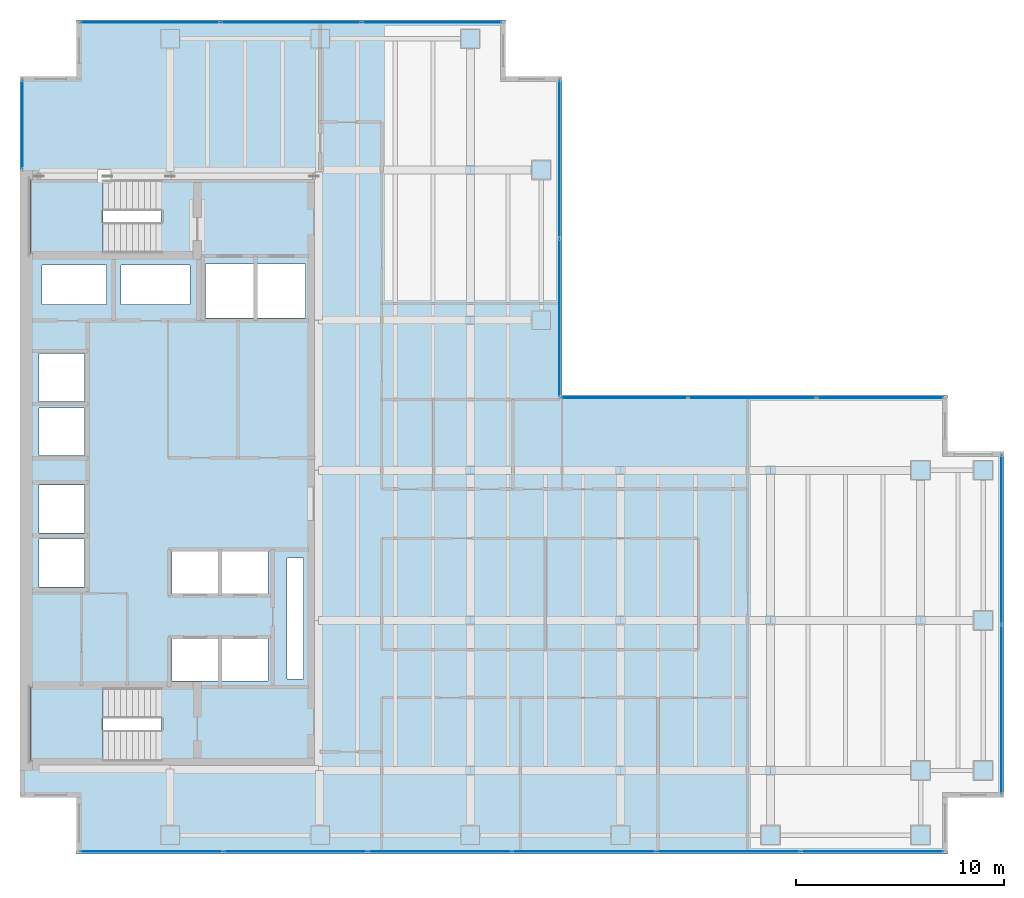
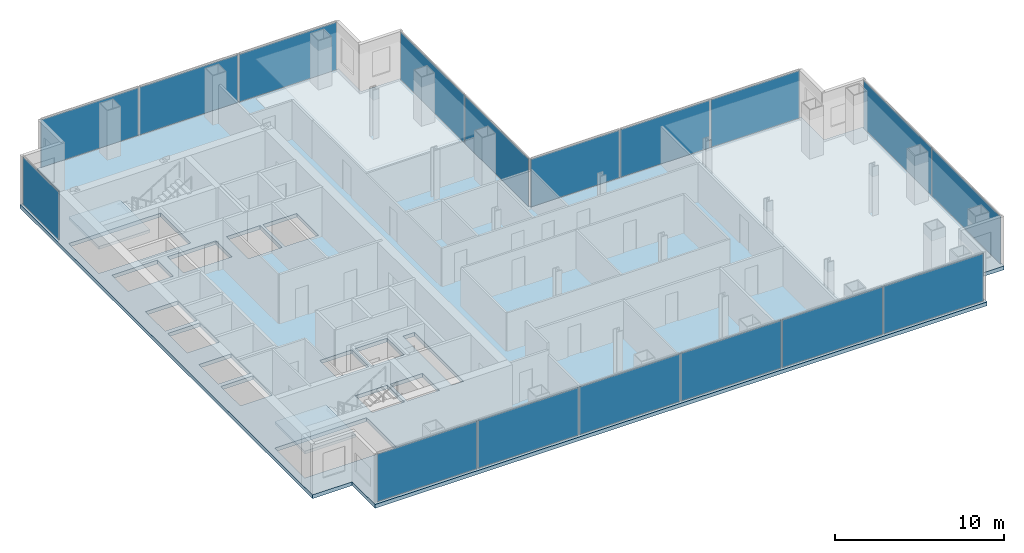
# One storey, part 19 of 24: 17 plates, 3 slabs, 15 openings, 8 elements without a shape of their own.
"""IFC4 building model written with IfcOpenShell, lengths in metres."""

from ifc_helpers import new_model, si_unit, direction, frame, origin, origin_2d, place, context, subcontext, project, spatial, polyline, rectangle, outline, extrude, material, layer, layer_set, type_object, element, aggregate, save


model = new_model("IFC4")

# Units and contexts
model_context = context("Model", 3, precision=1e-05, world=origin(), true_north=direction((0.0, 1.0)))
body_context = subcontext(model_context, "Body", "Model", "MODEL_VIEW")
ifc_project = project(units=[si_unit("LENGTHUNIT", "METRE"), si_unit("AREAUNIT", "SQUARE_METRE"), si_unit("VOLUMEUNIT", "CUBIC_METRE"), si_unit("PLANEANGLEUNIT", "RADIAN"), si_unit("MASSUNIT", "GRAM", prefix="KILO")], contexts=[model_context])

# Site, building, storey
site_placement = place(None, origin())
site = spatial("IfcSite", under=ifc_project, at=site_placement, CompositionType="ELEMENT")
building_placement = place(site_placement, origin())
building = spatial("IfcBuilding", under=site, at=building_placement, Name="Cobrela Telecom Tower", CompositionType="ELEMENT")
storey_placement = place(building_placement, frame((0.0, 0.0, 106.050048828125)))
storey = spatial("IfcBuildingStorey", under=building, at=storey_placement, Name="L26", CompositionType="ELEMENT", Elevation=106.050048828125)

# Curtain wall, plate
ifc_material_1 = material(Name="Anodized Bronze Aluminium 6063-T6", Category="aluminium")
curtain_wall_type = type_object("IfcCurtainWallType", Name="CW-SYS-TEL", PredefinedType="USERDEFINED", material=ifc_material_1)
curtain_wall_1_placement = place(storey_placement, origin())
curtain_wall_1 = element("IfcCurtainWall", 1, at=curtain_wall_1_placement, inside=storey, type_object=curtain_wall_type, Name="L26 Unitised Bronze Curtain Wall 04", ObjectType="UNITISED CURTAIN WALL", PredefinedType="USERDEFINED")
ifc_material_2 = material(Name="Solar-Control Bronze Low-E Glass", Category="glass")
ifc_layer_1 = layer(ifc_material_2, 0.035888671875)
ifc_layer_set_1 = layer_set([ifc_layer_1], Name="Solar-Control Bronze Low-E Glass")
plate_type = type_object("IfcPlateType", Name="CW-SYS-TEL-PNL", PredefinedType="CURTAIN_PANEL", material=ifc_layer_set_1)
plate_1_placement = place(storey_placement, frame((0.1201171875, 38.18505859375, 0.070068359375), z_axis=(0.0, 0.0, 1.0), x_axis=(0.0, 1.0, 0.0)))
plate_1 = element("IfcPlate", 2, at=plate_1_placement, type_object=plate_type, Name="CW-TEL panel 1.1", PredefinedType="CURTAIN_PANEL", context=body_context, shape_type="SweptSolid", body=[
    extrude(rectangle(XDim=4.219970703125, YDim=0.035888671875, at=origin_2d()), origin(), (0.0, 0.0, 1.0), 3.43994140625),
])
aggregate(curtain_wall_1, [plate_1])

# Curtain wall, plates
curtain_wall_2_placement = place(storey_placement, origin())
curtain_wall_2 = element("IfcCurtainWall", 3, at=curtain_wall_2_placement, inside=storey, type_object=curtain_wall_type, Name="L26 Unitised Bronze Curtain Wall 07", ObjectType="UNITISED CURTAIN WALL", PredefinedType="USERDEFINED")
plate_2_placement = place(storey_placement, frame((6.23876953125, 43.080078125, 0.070068359375), z_axis=(0.0, 0.0, 1.0), x_axis=(1.0, 0.0, 0.0)))
plate_2 = element("IfcPlate", 4, at=plate_2_placement, type_object=plate_type, Name="CW-TEL panel 1.1", PredefinedType="CURTAIN_PANEL", context=body_context, shape_type="SweptSolid", body=[
    extrude(rectangle(XDim=6.66748046875, YDim=0.035888671875, at=origin_2d()), origin(), (0.0, 0.0, 1.0), 3.43994140625),
])
plate_3_placement = place(storey_placement, frame((13.0, 43.080078125, 0.070068359375), z_axis=(0.0, 0.0, 1.0), x_axis=(1.0, 0.0, 0.0)))
plate_3 = element("IfcPlate", 5, at=plate_3_placement, type_object=plate_type, Name="CW-TEL panel 2.1", PredefinedType="CURTAIN_PANEL", context=body_context, shape_type="SweptSolid", body=[
    extrude(rectangle(XDim=6.705078125, YDim=0.035888671875, at=origin_2d()), origin(), (0.0, 0.0, 1.0), 3.43994140625),
])
plate_4_placement = place(storey_placement, frame((19.76123046875, 43.080078125, 0.070068359375), z_axis=(0.0, 0.0, 1.0), x_axis=(1.0, 0.0, 0.0)))
plate_4 = element("IfcPlate", 6, at=plate_4_placement, type_object=plate_type, Name="CW-TEL panel 3.1", PredefinedType="CURTAIN_PANEL", context=body_context, shape_type="SweptSolid", body=[
    extrude(rectangle(XDim=6.66748046875, YDim=0.035888671875, at=origin_2d()), origin(), (0.0, 0.0, 1.0), 3.43994140625),
])
aggregate(curtain_wall_2, [plate_2, plate_3, plate_4])

curtain_wall_3_placement = place(storey_placement, origin())
curtain_wall_3 = element("IfcCurtainWall", 7, at=curtain_wall_3_placement, inside=storey, type_object=curtain_wall_type, Name="L26 Unitised Bronze Curtain Wall 10", ObjectType="UNITISED CURTAIN WALL", PredefinedType="USERDEFINED")
plate_5_placement = place(storey_placement, frame((25.8798828125, 36.52880859375, 0.070068359375), z_axis=(0.0, 0.0, 1.0), x_axis=(0.0, -1.0, 0.0)))
plate_5 = element("IfcPlate", 8, at=plate_5_placement, type_object=plate_type, Name="CW-TEL panel 1.1", PredefinedType="CURTAIN_PANEL", context=body_context, shape_type="SweptSolid", body=[
    extrude(rectangle(XDim=7.532470703125, YDim=0.035888671875, at=origin_2d()), origin(), (0.0, 0.0, 1.0), 3.43994140625),
])
plate_6_placement = place(storey_placement, frame((25.8798828125, 28.921142578125, 0.070068359375), z_axis=(0.0, 0.0, 1.0), x_axis=(0.0, -1.0, 0.0)))
plate_6 = element("IfcPlate", 9, at=plate_6_placement, type_object=plate_type, Name="CW-TEL panel 2.1", PredefinedType="CURTAIN_PANEL", context=body_context, shape_type="SweptSolid", body=[
    extrude(rectangle(XDim=7.532470703125, YDim=0.035888671875, at=origin_2d()), origin(), (0.0, 0.0, 1.0), 3.43994140625),
])
aggregate(curtain_wall_3, [plate_5, plate_6])

curtain_wall_4_placement = place(storey_placement, origin())
curtain_wall_4 = element("IfcCurtainWall", 10, at=curtain_wall_4_placement, inside=storey, type_object=curtain_wall_type, Name="L26 Unitised Bronze Curtain Wall 11", ObjectType="UNITISED CURTAIN WALL", PredefinedType="USERDEFINED")
plate_7_placement = place(storey_placement, frame((28.98046875, 25.080078125, 0.070068359375), z_axis=(0.0, 0.0, 1.0), x_axis=(1.0, 0.0, 0.0)))
plate_7 = element("IfcPlate", 11, at=plate_7_placement, type_object=plate_type, Name="CW-TEL panel 1.1", PredefinedType="CURTAIN_PANEL", context=body_context, shape_type="SweptSolid", body=[
    extrude(rectangle(XDim=6.05078125, YDim=0.035888671875, at=origin_2d()), origin(), (0.0, 0.0, 1.0), 3.43994140625),
])
plate_8_placement = place(storey_placement, frame((35.125, 25.080078125, 0.070068359375), z_axis=(0.0, 0.0, 1.0), x_axis=(1.0, 0.0, 0.0)))
plate_8 = element("IfcPlate", 12, at=plate_8_placement, type_object=plate_type, Name="CW-TEL panel 2.1", PredefinedType="CURTAIN_PANEL", context=body_context, shape_type="SweptSolid", body=[
    extrude(rectangle(XDim=6.08837890625, YDim=0.035888671875, at=origin_2d()), origin(), (0.0, 0.0, 1.0), 3.43994140625),
])
plate_9_placement = place(storey_placement, frame((41.26953125, 25.080078125, 0.070068359375), z_axis=(0.0, 0.0, 1.0), x_axis=(1.0, 0.0, 0.0)))
plate_9 = element("IfcPlate", 13, at=plate_9_placement, type_object=plate_type, Name="CW-TEL panel 3.1", PredefinedType="CURTAIN_PANEL", context=body_context, shape_type="SweptSolid", body=[
    extrude(rectangle(XDim=6.05078125, YDim=0.035888671875, at=origin_2d()), origin(), (0.0, 0.0, 1.0), 3.43994140625),
])
aggregate(curtain_wall_4, [plate_7, plate_8, plate_9])

curtain_wall_5_placement = place(storey_placement, origin())
curtain_wall_5 = element("IfcCurtainWall", 14, at=curtain_wall_5_placement, inside=storey, type_object=curtain_wall_type, Name="L26 Unitised Bronze Curtain Wall 14", ObjectType="UNITISED CURTAIN WALL", PredefinedType="USERDEFINED")
plate_10_placement = place(storey_placement, frame((47.080078125, 18.266357421875, 0.070068359375), z_axis=(0.0, 0.0, 1.0), x_axis=(0.0, -1.0, 0.0)))
plate_10 = element("IfcPlate", 15, at=plate_10_placement, type_object=plate_type, Name="CW-TEL panel 1.1", PredefinedType="CURTAIN_PANEL", context=body_context, shape_type="SweptSolid", body=[
    extrude(rectangle(XDim=8.0576171875, YDim=0.035888671875, at=origin_2d()), origin(), (0.0, 0.0, 1.0), 3.43994140625),
])
plate_11_placement = place(storey_placement, frame((47.080078125, 10.1337890625, 0.070068359375), z_axis=(0.0, 0.0, 1.0), x_axis=(0.0, -1.0, 0.0)))
plate_11 = element("IfcPlate", 16, at=plate_11_placement, type_object=plate_type, Name="CW-TEL panel 2.1", PredefinedType="CURTAIN_PANEL", context=body_context, shape_type="SweptSolid", body=[
    extrude(rectangle(XDim=8.0576171875, YDim=0.035888671875, at=origin_2d()), origin(), (0.0, 0.0, 1.0), 3.43994140625),
])
aggregate(curtain_wall_5, [plate_10, plate_11])

curtain_wall_6_placement = place(storey_placement, origin())
curtain_wall_6 = element("IfcCurtainWall", 17, at=curtain_wall_6_placement, inside=storey, type_object=curtain_wall_type, Name="L26 Unitised Bronze Curtain Wall 17", ObjectType="UNITISED CURTAIN WALL", PredefinedType="USERDEFINED")
plate_12_placement = place(storey_placement, frame((40.8896484375, 3.320068359375, 0.070068359375), z_axis=(0.0, 0.0, 1.0), x_axis=(-1.0, 0.0, 0.0)))
plate_12 = element("IfcPlate", 18, at=plate_12_placement, type_object=plate_type, Name="CW-TEL panel 1.1", PredefinedType="CURTAIN_PANEL", context=body_context, shape_type="SweptSolid", body=[
    extrude(rectangle(XDim=6.810791015625, YDim=0.035888671875, at=origin_2d()), origin(), (0.0, 0.0, 1.0), 3.43994140625),
])
plate_13_placement = place(storey_placement, frame((33.985107421875, 3.320068359375, 0.070068359375), z_axis=(0.0, 0.0, 1.0), x_axis=(-1.0, 0.0, 0.0)))
plate_13 = element("IfcPlate", 19, at=plate_13_placement, type_object=plate_type, Name="CW-TEL panel 2.1", PredefinedType="CURTAIN_PANEL", context=body_context, shape_type="SweptSolid", body=[
    extrude(rectangle(XDim=6.848388671875, YDim=0.035888671875, at=origin_2d()), origin(), (0.0, 0.0, 1.0), 3.43994140625),
])
plate_14_placement = place(storey_placement, frame((27.061767578125, 3.320068359375, 0.070068359375), z_axis=(0.0, 0.0, 1.0), x_axis=(-1.0, 0.0, 0.0)))
plate_14 = element("IfcPlate", 20, at=plate_14_placement, type_object=plate_type, Name="CW-TEL panel 3.1", PredefinedType="CURTAIN_PANEL", context=body_context, shape_type="SweptSolid", body=[
    extrude(rectangle(XDim=6.848388671875, YDim=0.035888671875, at=origin_2d()), origin(), (0.0, 0.0, 1.0), 3.43994140625),
])
plate_15_placement = place(storey_placement, frame((20.138427734375, 3.320068359375, 0.070068359375), z_axis=(0.0, 0.0, 1.0), x_axis=(-1.0, 0.0, 0.0)))
plate_15 = element("IfcPlate", 21, at=plate_15_placement, type_object=plate_type, Name="CW-TEL panel 4.1", PredefinedType="CURTAIN_PANEL", context=body_context, shape_type="SweptSolid", body=[
    extrude(rectangle(XDim=6.848388671875, YDim=0.035888671875, at=origin_2d()), origin(), (0.0, 0.0, 1.0), 3.43994140625),
])
plate_16_placement = place(storey_placement, frame((13.215087890625, 3.320068359375, 0.070068359375), z_axis=(0.0, 0.0, 1.0), x_axis=(-1.0, 0.0, 0.0)))
plate_16 = element("IfcPlate", 22, at=plate_16_placement, type_object=plate_type, Name="CW-TEL panel 5.1", PredefinedType="CURTAIN_PANEL", context=body_context, shape_type="SweptSolid", body=[
    extrude(rectangle(XDim=6.848388671875, YDim=0.035888671875, at=origin_2d()), origin(), (0.0, 0.0, 1.0), 3.43994140625),
])
plate_17_placement = place(storey_placement, frame((6.310302734375, 3.320068359375, 0.070068359375), z_axis=(0.0, 0.0, 1.0), x_axis=(-1.0, 0.0, 0.0)))
plate_17 = element("IfcPlate", 23, at=plate_17_placement, type_object=plate_type, Name="CW-TEL panel 6.1", PredefinedType="CURTAIN_PANEL", context=body_context, shape_type="SweptSolid", body=[
    extrude(rectangle(XDim=6.810791015625, YDim=0.035888671875, at=origin_2d()), origin(), (0.0, 0.0, 1.0), 3.43994140625),
])
aggregate(curtain_wall_6, [plate_12, plate_13, plate_14, plate_15, plate_16, plate_17])

# Slab, openings
ifc_material_3 = material(Name="Concrete C40/50", Category="concrete")
ifc_layer_2 = layer(ifc_material_3, 0.27001953125)
ifc_layer_set_2 = layer_set([ifc_layer_2], Name="Concrete C40/50")
slab_type_1 = type_object("IfcSlabType", Name="SLAB-FLR-270", PredefinedType="FLOOR", material=ifc_layer_set_2)
slab_1_placement = place(storey_placement, frame((0.0, 0.0, -0.27001953125)))
slab_1 = element("IfcSlab", 24, at=slab_1_placement, inside=storey, type_object=slab_type_1, Name="L26 Structural Floor Slab", PredefinedType="FLOOR", context=body_context, shape_type="SweptSolid", body=[
    extrude(outline(polyline([(2.7099609375, 3.199951171875), (44.489990234375, 3.199951171875), (44.489990234375, 5.909912109375), (47.199951171875, 5.909912109375), (47.199951171875, 22.489990234375), (44.489990234375, 22.489990234375), (44.489990234375, 25.199951171875), (26.0, 25.199951171875), (26.0, 40.489990234375), (23.2900390625, 40.489990234375), (23.2900390625, 43.199951171875), (2.7099609375, 43.199951171875), (2.7099609375, 40.489990234375), (0.0, 40.489990234375), (0.0, 5.909912109375), (2.7099609375, 5.909912109375), (2.7099609375, 3.199951171875)])), origin(), (0.0, 0.0, 1.0), 0.27001953125),
])
opening_1_placement = place(slab_1_placement, frame((0.0, 0.0, -0.02001953125)))
element("IfcOpeningElement", 25, at=opening_1_placement, cuts=slab_1, Name="Slab Shaft Opening SLAB-L26-MAIN.1", PredefinedType="OPENING", context=body_context, shape_type="SweptSolid", body=[
    extrude(outline(polyline([(8.89990234375, 28.89990234375), (11.199951171875, 28.89990234375), (11.199951171875, 31.5), (8.89990234375, 31.5), (8.89990234375, 28.89990234375)])), origin(), (0.0, 0.0, 1.0), 0.31005859375),
])
opening_2_placement = place(slab_1_placement, frame((0.0, 0.0, -0.02001953125)))
element("IfcOpeningElement", 26, at=opening_2_placement, cuts=slab_1, Name="Slab Shaft Opening SLAB-L26-MAIN.2", PredefinedType="OPENING", context=body_context, shape_type="SweptSolid", body=[
    extrude(outline(polyline([(11.39990234375, 28.89990234375), (13.699951171875, 28.89990234375), (13.699951171875, 31.5), (11.39990234375, 31.5), (11.39990234375, 28.89990234375)])), origin(), (0.0, 0.0, 1.0), 0.31005859375),
])
opening_3_placement = place(slab_1_placement, frame((0.0, 0.0, -0.02001953125)))
element("IfcOpeningElement", 27, at=opening_3_placement, cuts=slab_1, Name="Slab Shaft Opening SLAB-L26-MAIN.3", PredefinedType="OPENING", context=body_context, shape_type="SweptSolid", body=[
    extrude(outline(polyline([(7.300048828125, 15.699951171875), (9.5, 15.699951171875), (9.5, 17.699951171875), (7.300048828125, 17.699951171875), (7.300048828125, 15.699951171875)])), origin(), (0.0, 0.0, 1.0), 0.31005859375),
])
opening_4_placement = place(slab_1_placement, frame((0.0, 0.0, -0.02001953125)))
element("IfcOpeningElement", 28, at=opening_4_placement, cuts=slab_1, Name="Slab Shaft Opening SLAB-L26-MAIN.4", PredefinedType="OPENING", context=body_context, shape_type="SweptSolid", body=[
    extrude(outline(polyline([(9.699951171875, 15.699951171875), (11.89990234375, 15.699951171875), (11.89990234375, 17.699951171875), (9.699951171875, 17.699951171875), (9.699951171875, 15.699951171875)])), origin(), (0.0, 0.0, 1.0), 0.31005859375),
])
opening_5_placement = place(slab_1_placement, frame((0.0, 0.0, -0.02001953125)))
element("IfcOpeningElement", 29, at=opening_5_placement, cuts=slab_1, Name="Slab Shaft Opening SLAB-L26-MAIN.5", PredefinedType="OPENING", context=body_context, shape_type="SweptSolid", body=[
    extrude(outline(polyline([(7.300048828125, 11.5), (9.5, 11.5), (9.5, 13.5), (7.300048828125, 13.5), (7.300048828125, 11.5)])), origin(), (0.0, 0.0, 1.0), 0.31005859375),
])
opening_6_placement = place(slab_1_placement, frame((0.0, 0.0, -0.02001953125)))
element("IfcOpeningElement", 30, at=opening_6_placement, cuts=slab_1, Name="Slab Shaft Opening SLAB-L26-MAIN.6", PredefinedType="OPENING", context=body_context, shape_type="SweptSolid", body=[
    extrude(outline(polyline([(9.699951171875, 11.5), (11.89990234375, 11.5), (11.89990234375, 13.5), (9.699951171875, 13.5), (9.699951171875, 11.5)])), origin(), (0.0, 0.0, 1.0), 0.31005859375),
])
opening_7_placement = place(slab_1_placement, frame((0.0, 0.0, -0.02001953125)))
element("IfcOpeningElement", 31, at=opening_7_placement, cuts=slab_1, Name="Slab Shaft Opening SLAB-L26-MAIN.7", PredefinedType="OPENING", context=body_context, shape_type="SweptSolid", body=[
    extrude(outline(polyline([(0.89990234375, 16.0), (3.10009765625, 16.0), (3.10009765625, 18.300048828125), (0.89990234375, 18.300048828125), (0.89990234375, 16.0)])), origin(), (0.0, 0.0, 1.0), 0.31005859375),
])
opening_8_placement = place(slab_1_placement, frame((0.0, 0.0, -0.02001953125)))
element("IfcOpeningElement", 32, at=opening_8_placement, cuts=slab_1, Name="Slab Shaft Opening SLAB-L26-MAIN.8", PredefinedType="OPENING", context=body_context, shape_type="SweptSolid", body=[
    extrude(outline(polyline([(0.89990234375, 18.60009765625), (3.10009765625, 18.60009765625), (3.10009765625, 20.89990234375), (0.89990234375, 20.89990234375), (0.89990234375, 18.60009765625)])), origin(), (0.0, 0.0, 1.0), 0.31005859375),
])
opening_9_placement = place(slab_1_placement, frame((0.0, 0.0, -0.02001953125)))
element("IfcOpeningElement", 33, at=opening_9_placement, cuts=slab_1, Name="Slab Shaft Opening SLAB-L26-MAIN.9", PredefinedType="OPENING", context=body_context, shape_type="SweptSolid", body=[
    extrude(outline(polyline([(0.89990234375, 22.300048828125), (3.10009765625, 22.300048828125), (3.10009765625, 24.60009765625), (0.89990234375, 24.60009765625), (0.89990234375, 22.300048828125)])), origin(), (0.0, 0.0, 1.0), 0.31005859375),
])
opening_10_placement = place(slab_1_placement, frame((0.0, 0.0, -0.02001953125)))
element("IfcOpeningElement", 34, at=opening_10_placement, cuts=slab_1, Name="Slab Shaft Opening SLAB-L26-MAIN.10", PredefinedType="OPENING", context=body_context, shape_type="SweptSolid", body=[
    extrude(outline(polyline([(0.89990234375, 24.89990234375), (3.10009765625, 24.89990234375), (3.10009765625, 27.199951171875), (0.89990234375, 27.199951171875), (0.89990234375, 24.89990234375)])), origin(), (0.0, 0.0, 1.0), 0.31005859375),
])
opening_11_placement = place(slab_1_placement, frame((0.0, 0.0, -0.02001953125)))
element("IfcOpeningElement", 35, at=opening_11_placement, cuts=slab_1, Name="Slab Shaft Opening SLAB-L26-MAIN.11", PredefinedType="OPENING", context=body_context, shape_type="SweptSolid", body=[
    extrude(outline(polyline([(1.050048828125, 29.550048828125), (4.14990234375, 29.550048828125), (4.14990234375, 31.449951171875), (1.050048828125, 31.449951171875), (1.050048828125, 29.550048828125)])), origin(), (0.0, 0.0, 1.0), 0.31005859375),
])
opening_12_placement = place(slab_1_placement, frame((0.0, 0.0, -0.02001953125)))
element("IfcOpeningElement", 36, at=opening_12_placement, cuts=slab_1, Name="Slab Shaft Opening SLAB-L26-MAIN.12", PredefinedType="OPENING", context=body_context, shape_type="SweptSolid", body=[
    extrude(outline(polyline([(4.85009765625, 29.550048828125), (8.14990234375, 29.550048828125), (8.14990234375, 31.449951171875), (4.85009765625, 31.449951171875), (4.85009765625, 29.550048828125)])), origin(), (0.0, 0.0, 1.0), 0.31005859375),
])
opening_13_placement = place(slab_1_placement, frame((0.0, 0.0, -0.02001953125)))
element("IfcOpeningElement", 37, at=opening_13_placement, cuts=slab_1, Name="Slab Shaft Opening SLAB-L26-MAIN.13", PredefinedType="OPENING", context=body_context, shape_type="SweptSolid", body=[
    extrude(outline(polyline([(12.800048828125, 11.60009765625), (13.60009765625, 11.60009765625), (13.60009765625, 17.39990234375), (12.800048828125, 17.39990234375), (12.800048828125, 11.60009765625)])), origin(), (0.0, 0.0, 1.0), 0.31005859375),
])
opening_14_placement = place(slab_1_placement, frame((0.0, 0.0, -0.02001953125)))
element("IfcOpeningElement", 38, at=opening_14_placement, cuts=slab_1, Name="Slab Shaft Opening SLAB-L26-MAIN.14", PredefinedType="OPENING", context=body_context, shape_type="SweptSolid", body=[
    extrude(outline(polyline([(6.7548828125, 35.550048828125), (0.47998046875, 35.550048828125), (0.47998046875, 32.0), (6.7548828125, 32.0), (6.7548828125, 35.550048828125)])), origin(), (0.0, 0.0, 1.0), 0.31005859375),
])
opening_15_placement = place(slab_1_placement, frame((0.0, 0.0, -0.02001953125)))
element("IfcOpeningElement", 39, at=opening_15_placement, cuts=slab_1, Name="Slab Shaft Opening SLAB-L26-MAIN.15", PredefinedType="OPENING", context=body_context, shape_type="SweptSolid", body=[
    extrude(outline(polyline([(6.7548828125, 11.199951171875), (0.47998046875, 11.199951171875), (0.47998046875, 7.64990234375), (6.7548828125, 7.64990234375), (6.7548828125, 11.199951171875)])), origin(), (0.0, 0.0, 1.0), 0.31005859375),
])

# Stair, slab
stair_type = type_object("IfcStairType", Name="STAIR-CORE", PredefinedType="HALF_TURN_STAIR", material=ifc_material_3)
stair_1_placement = place(storey_placement, origin())
stair_1 = element("IfcStair", 40, at=stair_1_placement, inside=storey, type_object=stair_type, Name="L26 Smokeproof Exit Stair ST1", PredefinedType="HALF_TURN_STAIR")
ifc_layer_3 = layer(ifc_material_3, 0.199951171875)
ifc_layer_set_3 = layer_set([ifc_layer_3], Name="Concrete C40/50")
slab_type_2 = type_object("IfcSlabType", Name="SLAB-LAND-200", PredefinedType="LANDING", material=ifc_layer_set_3)
slab_2_placement = place(storey_placement, frame((0.0, 0.0, 1.724853515625)))
slab_2 = element("IfcSlab", 41, at=slab_2_placement, type_object=slab_type_2, Name="ST1 landing 1", PredefinedType="LANDING", context=body_context, shape_type="SweptSolid", body=[
    extrude(outline(polyline([(3.969970703125, 35.550048828125), (0.47998046875, 35.550048828125), (0.47998046875, 32.0), (3.969970703125, 32.0), (3.969970703125, 35.550048828125)])), origin(), (0.0, 0.0, 1.0), 0.2001953125),
])
aggregate(stair_1, [slab_2])

stair_2_placement = place(storey_placement, origin())
stair_2 = element("IfcStair", 42, at=stair_2_placement, inside=storey, type_object=stair_type, Name="L26 Smokeproof Exit Stair ST2", PredefinedType="HALF_TURN_STAIR")
slab_3_placement = place(storey_placement, frame((0.0, 0.0, 1.724853515625)))
slab_3 = element("IfcSlab", 43, at=slab_3_placement, type_object=slab_type_2, Name="ST2 landing 1", PredefinedType="LANDING", context=body_context, shape_type="SweptSolid", body=[
    extrude(outline(polyline([(3.969970703125, 11.199951171875), (0.47998046875, 11.199951171875), (0.47998046875, 7.64990234375), (3.969970703125, 7.64990234375), (3.969970703125, 11.199951171875)])), origin(), (0.0, 0.0, 1.0), 0.2001953125),
])
aggregate(stair_2, [slab_3])

save(model, "model.ifc")
